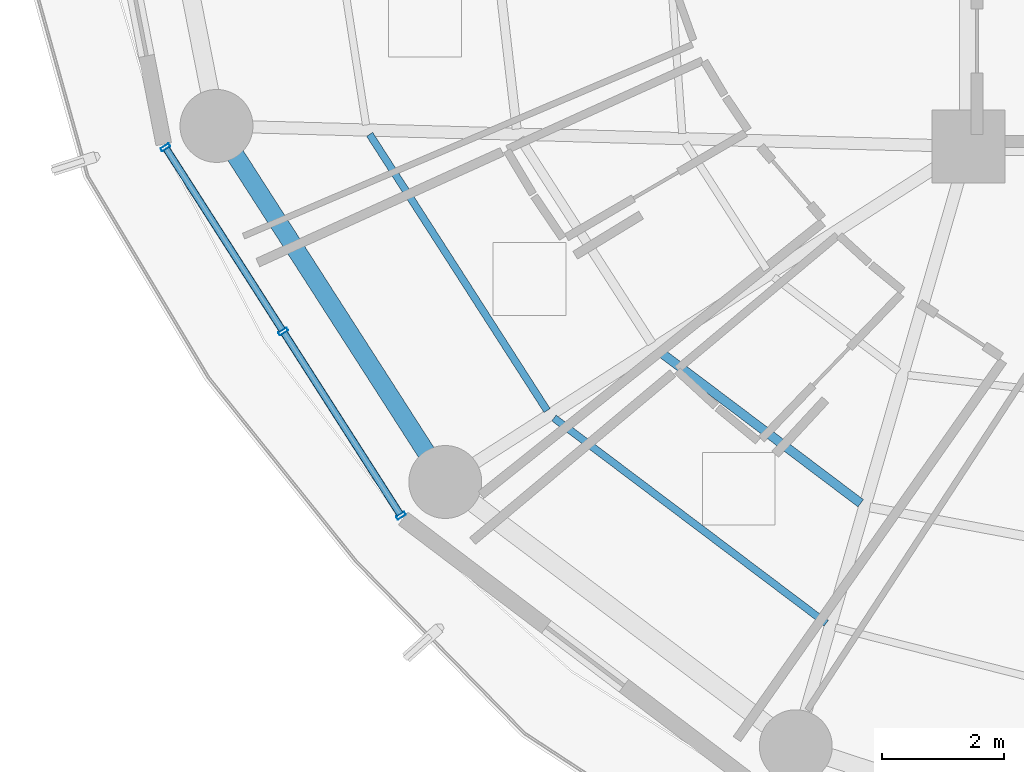
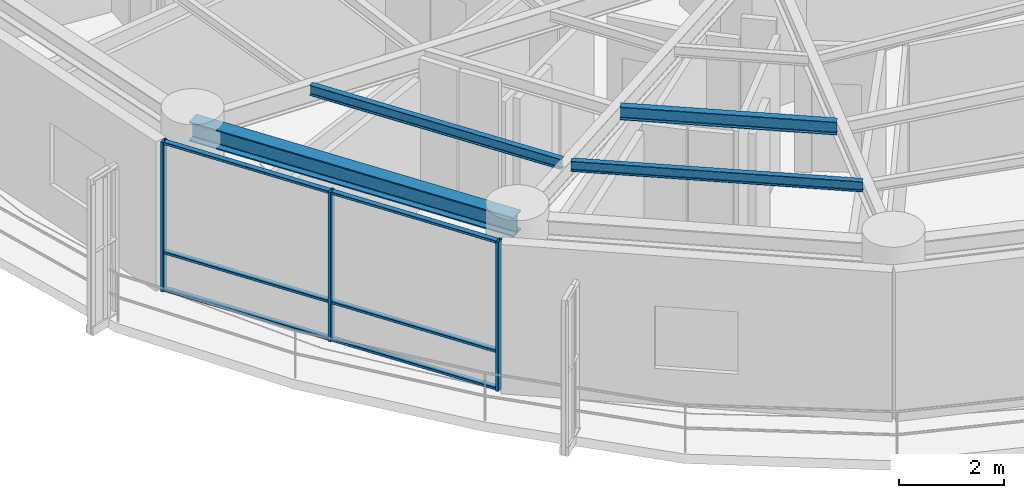
# One storey, part 2 of 28: 9 members, 4 beams, 1 element without a shape of its own.
"""IFC4 building model written with IfcOpenShell, lengths in metres."""

from ifc_helpers import new_model, si_unit, direction, frame, origin, origin_2d, place, context, subcontext, project, spatial, hollow_rectangle, i_section, extrude, material, layer, layer_set, material_profile, profile_set, type_object, element, aggregate, save


model = new_model("IFC4")

# Units and contexts
model_context = context("Model", 3, precision=1e-05, world=origin(), true_north=direction((0.0, 1.0)))
body_context = subcontext(model_context, "Body", "Model", "MODEL_VIEW")
ifc_project = project(units=[si_unit("LENGTHUNIT", "METRE"), si_unit("AREAUNIT", "SQUARE_METRE"), si_unit("VOLUMEUNIT", "CUBIC_METRE"), si_unit("PLANEANGLEUNIT", "RADIAN"), si_unit("MASSUNIT", "GRAM", prefix="KILO")], contexts=[model_context])

# Site, building, storey
site_placement = place(None, origin())
site = spatial("IfcSite", under=ifc_project, at=site_placement, CompositionType="ELEMENT")
building_placement = place(site_placement, origin())
building = spatial("IfcBuilding", under=site, at=building_placement, Name="Kelanora Arch Commons", CompositionType="ELEMENT")
storey_placement = place(building_placement, frame((0.0, 0.0, 176.85009765625)))
storey = spatial("IfcBuildingStorey", under=building, at=storey_placement, Name="L45", CompositionType="ELEMENT", Elevation=176.85009765625)

# Beams
ifc_material_1 = material(Name="Steel S355", Category="steel")
ifc_material_profile_1 = material_profile(ifc_material_1, i_section(OverallWidth=0.14990234375, OverallDepth=0.300048828125, WebThickness=0.007080078125, FlangeThickness=0.0107421875, FilletRadius=0.014892578125, at=origin_2d()), Name="IPE300")
ifc_profile_set_1 = profile_set([ifc_material_profile_1], Name="Steel S355")
beam_type_1 = type_object("IfcBeamType", Name="BM-JST-01", PredefinedType="JOIST", material=ifc_profile_set_1)
beam_1_placement = place(storey_placement, frame((60.9033203125, 47.635986328125, 3.33984375), z_axis=(0.798463547891, -0.602043156833, 0.0), x_axis=(0.602043156833, 0.798463547891, 0.0)))
element("IfcBeam", 1, at=beam_1_placement, inside=storey, type_object=beam_type_1, Name="Secondary Chord Joist BJB-22 L45", PredefinedType="JOIST", context=body_context, shape_type="SweptSolid", body=[
    extrude(i_section(OverallWidth=0.14990234375, OverallDepth=0.300048828125, WebThickness=0.007080078125, FlangeThickness=0.0107421875, FilletRadius=0.014892578125, at=origin_2d()), origin(), (0.0, 0.0, 1.0), 4.163818359375),
])
ifc_material_profile_2 = material_profile(ifc_material_1, i_section(OverallWidth=0.1201171875, OverallDepth=0.239990234375, WebThickness=0.006103515625, FlangeThickness=0.009765625, FilletRadius=0.014892578125, at=origin_2d()), Name="IPE240")
ifc_profile_set_2 = profile_set([ifc_material_profile_2], Name="Steel S355")
beam_type_2 = type_object("IfcBeamType", Name="BM-JST-02", PredefinedType="JOIST", material=ifc_profile_set_2)
beam_2_placement = place(storey_placement, frame((56.14794921875, 51.198486328125, 3.369873046875), z_axis=(0.540581678156, -0.841291536414, 0.0), x_axis=(0.841291536414, 0.540581678156, 0.0)))
element("IfcBeam", 2, at=beam_2_placement, inside=storey, type_object=beam_type_2, Name="Secondary Chord Joist BJC-20 L45", PredefinedType="JOIST", context=body_context, shape_type="SweptSolid", body=[
    extrude(i_section(OverallWidth=0.1201171875, OverallDepth=0.239990234375, WebThickness=0.006103515625, FlangeThickness=0.009765625, FilletRadius=0.014892578125, at=origin_2d()), origin(), (0.0, 0.0, 1.0), 5.4013671875),
])
beam_3_placement = place(storey_placement, frame((59.181640625, 46.531494140625, 3.369873046875), z_axis=(0.798493128577, -0.602003923256, 0.0), x_axis=(0.602003923256, 0.798493128577, 0.0)))
element("IfcBeam", 3, at=beam_3_placement, inside=storey, type_object=beam_type_2, Name="Secondary Chord Joist BJC-22 L45", PredefinedType="JOIST", context=body_context, shape_type="SweptSolid", body=[
    extrude(i_section(OverallWidth=0.1201171875, OverallDepth=0.239990234375, WebThickness=0.006103515625, FlangeThickness=0.009765625, FilletRadius=0.014892578125, at=origin_2d()), origin(), (0.0, 0.0, 1.0), 5.608642578125),
])
ifc_material_profile_3 = material_profile(ifc_material_1, i_section(OverallWidth=0.300048828125, OverallDepth=0.449951171875, WebThickness=0.013916015625, FlangeThickness=0.02587890625, FilletRadius=0.027099609375, at=origin_2d()), Name="HEB450")
ifc_profile_set_3 = profile_set([ifc_material_profile_3], Name="Steel S355")
beam_type_3 = type_object("IfcBeamType", Name="BM-SPN-Z3", PredefinedType="SPANDREL", material=ifc_profile_set_3)
beam_4_placement = place(storey_placement, frame((53.62744140625, 51.33740234375, 3.264892578125), z_axis=(0.540576852469, -0.841294637196, 0.0), x_axis=(0.841294637196, 0.540576852469, 0.0)))
element("IfcBeam", 4, at=beam_4_placement, inside=storey, type_object=beam_type_3, Name="Perimeter Spandrel Beam BS-20 L45", PredefinedType="SPANDREL", context=body_context, shape_type="SweptSolid", body=[
    extrude(i_section(OverallWidth=0.300048828125, OverallDepth=0.449951171875, WebThickness=0.013916015625, FlangeThickness=0.02587890625, FilletRadius=0.027099609375, at=origin_2d()), origin(), (0.0, 0.0, 1.0), 6.964111328125),
])

# Curtain wall, members
ifc_material_2 = material(Name="Terracotta ceramic-fritted low-E glass and aluminium", Category="masonry")
ifc_layer = layer(ifc_material_2, 0.175048828125)
ifc_layer_set = layer_set([ifc_layer], Name="Terracotta ceramic-fritted low-E glass and aluminium")
curtain_wall_type = type_object("IfcCurtainWallType", Name="CW-SYS-02", PredefinedType="NOTDEFINED", material=ifc_layer_set)
curtain_wall_placement = place(storey_placement, origin())
curtain_wall = element("IfcCurtainWall", 5, at=curtain_wall_placement, inside=storey, type_object=curtain_wall_type, Name="Unitised Curtain Wall L45-B10", PredefinedType="NOTDEFINED")
ifc_material_3 = material(Name="Powder-coated aluminium terracotta", Category="masonry")
ifc_material_profile_4 = material_profile(ifc_material_3, hollow_rectangle(XDim=0.159912109375, YDim=0.06005859375, WallThickness=0.0048828125, InnerFilletRadius=0.0048828125, OuterFilletRadius=0.010009765625, at=origin_2d()), Name="CWM160x60")
ifc_profile_set_4 = profile_set([ifc_material_profile_4], Name="Powder-coated aluminium terracotta")
member_type_1 = type_object("IfcMemberType", Name="CWM-STD", PredefinedType="MULLION", material=ifc_profile_set_4)
member_1_placement = place(storey_placement, frame((52.787109375, 50.98486328125, 0.0), z_axis=(0.0, 0.0, 1.0), x_axis=(0.842422846546, 0.538816988983, 0.0)))
member_1 = element("IfcMember", 6, at=member_1_placement, type_object=member_type_1, Name="CW-02 mullion 1", PredefinedType="MULLION", context=body_context, shape_type="SweptSolid", body=[
    extrude(hollow_rectangle(XDim=0.159912109375, YDim=0.06005859375, WallThickness=0.0048828125, InnerFilletRadius=0.0048828125, OuterFilletRadius=0.010009765625, at=origin_2d()), origin(), (0.0, 0.0, 1.0), 3.474853515625),
])
member_2_placement = place(storey_placement, frame((54.72509765625, 47.954833984375, 0.0), z_axis=(0.0, 0.0, 1.0), x_axis=(0.842422846546, 0.538816988983, 0.0)))
member_2 = element("IfcMember", 7, at=member_2_placement, type_object=member_type_1, Name="CW-02 mullion 2", PredefinedType="MULLION", context=body_context, shape_type="SweptSolid", body=[
    extrude(hollow_rectangle(XDim=0.159912109375, YDim=0.06005859375, WallThickness=0.0048828125, InnerFilletRadius=0.0048828125, OuterFilletRadius=0.010009765625, at=origin_2d()), origin(), (0.0, 0.0, 1.0), 3.474853515625),
])
member_3_placement = place(storey_placement, frame((56.6630859375, 44.925048828125, 0.0), z_axis=(0.0, 0.0, 1.0), x_axis=(0.842422846546, 0.538816988983, 0.0)))
member_3 = element("IfcMember", 8, at=member_3_placement, type_object=member_type_1, Name="CW-02 mullion 3", PredefinedType="MULLION", context=body_context, shape_type="SweptSolid", body=[
    extrude(hollow_rectangle(XDim=0.159912109375, YDim=0.06005859375, WallThickness=0.0048828125, InnerFilletRadius=0.0048828125, OuterFilletRadius=0.010009765625, at=origin_2d()), origin(), (0.0, 0.0, 1.0), 3.474853515625),
])
ifc_material_profile_5 = material_profile(ifc_material_3, hollow_rectangle(XDim=0.1201171875, YDim=0.06005859375, WallThickness=0.0048828125, InnerFilletRadius=0.0048828125, OuterFilletRadius=0.010009765625, at=origin_2d()), Name="CWT120x60")
ifc_profile_set_5 = profile_set([ifc_material_profile_5], Name="Powder-coated aluminium terracotta")
member_type_2 = type_object("IfcMemberType", Name="CWT-STD", PredefinedType="USERDEFINED", material=ifc_profile_set_5)
member_4_placement = place(storey_placement, frame((52.80322265625, 50.959716796875, 0.02978515625), z_axis=(0.53883037555, -0.842414284295, 0.0), x_axis=(0.842414284295, 0.53883037555, 0.0)))
member_4 = element("IfcMember", 9, at=member_4_placement, type_object=member_type_2, Name="CW-02 transom 1.1", ObjectType="TRANSOM", PredefinedType="USERDEFINED", context=body_context, shape_type="SweptSolid", body=[
    extrude(hollow_rectangle(XDim=0.1201171875, YDim=0.06005859375, WallThickness=0.0048828125, InnerFilletRadius=0.0048828125, OuterFilletRadius=0.010009765625, at=origin_2d()), origin(), (0.0, 0.0, 1.0), 3.536865234375),
])
member_5_placement = place(storey_placement, frame((52.80322265625, 50.959716796875, 0.89990234375), z_axis=(0.53883037555, -0.842414284295, 0.0), x_axis=(0.842414284295, 0.53883037555, 0.0)))
member_5 = element("IfcMember", 10, at=member_5_placement, type_object=member_type_2, Name="CW-02 transom 1.2", ObjectType="TRANSOM", PredefinedType="USERDEFINED", context=body_context, shape_type="SweptSolid", body=[
    extrude(hollow_rectangle(XDim=0.1201171875, YDim=0.06005859375, WallThickness=0.0048828125, InnerFilletRadius=0.0048828125, OuterFilletRadius=0.010009765625, at=origin_2d()), origin(), (0.0, 0.0, 1.0), 3.536865234375),
])
member_6_placement = place(storey_placement, frame((52.80322265625, 50.959716796875, 3.44482421875), z_axis=(0.53883037555, -0.842414284295, 0.0), x_axis=(0.842414284295, 0.53883037555, 0.0)))
member_6 = element("IfcMember", 11, at=member_6_placement, type_object=member_type_2, Name="CW-02 transom 1.3", ObjectType="TRANSOM", PredefinedType="USERDEFINED", context=body_context, shape_type="SweptSolid", body=[
    extrude(hollow_rectangle(XDim=0.1201171875, YDim=0.06005859375, WallThickness=0.0048828125, InnerFilletRadius=0.0048828125, OuterFilletRadius=0.010009765625, at=origin_2d()), origin(), (0.0, 0.0, 1.0), 3.536865234375),
])
member_7_placement = place(storey_placement, frame((54.7412109375, 47.9296875, 0.02978515625), z_axis=(0.53883037555, -0.842414284295, 0.0), x_axis=(0.842414284295, 0.53883037555, 0.0)))
member_7 = element("IfcMember", 12, at=member_7_placement, type_object=member_type_2, Name="CW-02 transom 2.1", ObjectType="TRANSOM", PredefinedType="USERDEFINED", context=body_context, shape_type="SweptSolid", body=[
    extrude(hollow_rectangle(XDim=0.1201171875, YDim=0.06005859375, WallThickness=0.0048828125, InnerFilletRadius=0.0048828125, OuterFilletRadius=0.010009765625, at=origin_2d()), origin(), (0.0, 0.0, 1.0), 3.536865234375),
])
member_8_placement = place(storey_placement, frame((54.7412109375, 47.9296875, 0.89990234375), z_axis=(0.53883037555, -0.842414284295, 0.0), x_axis=(0.842414284295, 0.53883037555, 0.0)))
member_8 = element("IfcMember", 13, at=member_8_placement, type_object=member_type_2, Name="CW-02 transom 2.2", ObjectType="TRANSOM", PredefinedType="USERDEFINED", context=body_context, shape_type="SweptSolid", body=[
    extrude(hollow_rectangle(XDim=0.1201171875, YDim=0.06005859375, WallThickness=0.0048828125, InnerFilletRadius=0.0048828125, OuterFilletRadius=0.010009765625, at=origin_2d()), origin(), (0.0, 0.0, 1.0), 3.536865234375),
])
member_9_placement = place(storey_placement, frame((54.7412109375, 47.9296875, 3.44482421875), z_axis=(0.53883037555, -0.842414284295, 0.0), x_axis=(0.842414284295, 0.53883037555, 0.0)))
member_9 = element("IfcMember", 14, at=member_9_placement, type_object=member_type_2, Name="CW-02 transom 2.3", ObjectType="TRANSOM", PredefinedType="USERDEFINED", context=body_context, shape_type="SweptSolid", body=[
    extrude(hollow_rectangle(XDim=0.1201171875, YDim=0.06005859375, WallThickness=0.0048828125, InnerFilletRadius=0.0048828125, OuterFilletRadius=0.010009765625, at=origin_2d()), origin(), (0.0, 0.0, 1.0), 3.536865234375),
])
aggregate(curtain_wall, [member_1, member_2, member_3, member_4, member_5, member_6, member_7, member_8, member_9])

save(model, "model.ifc")
